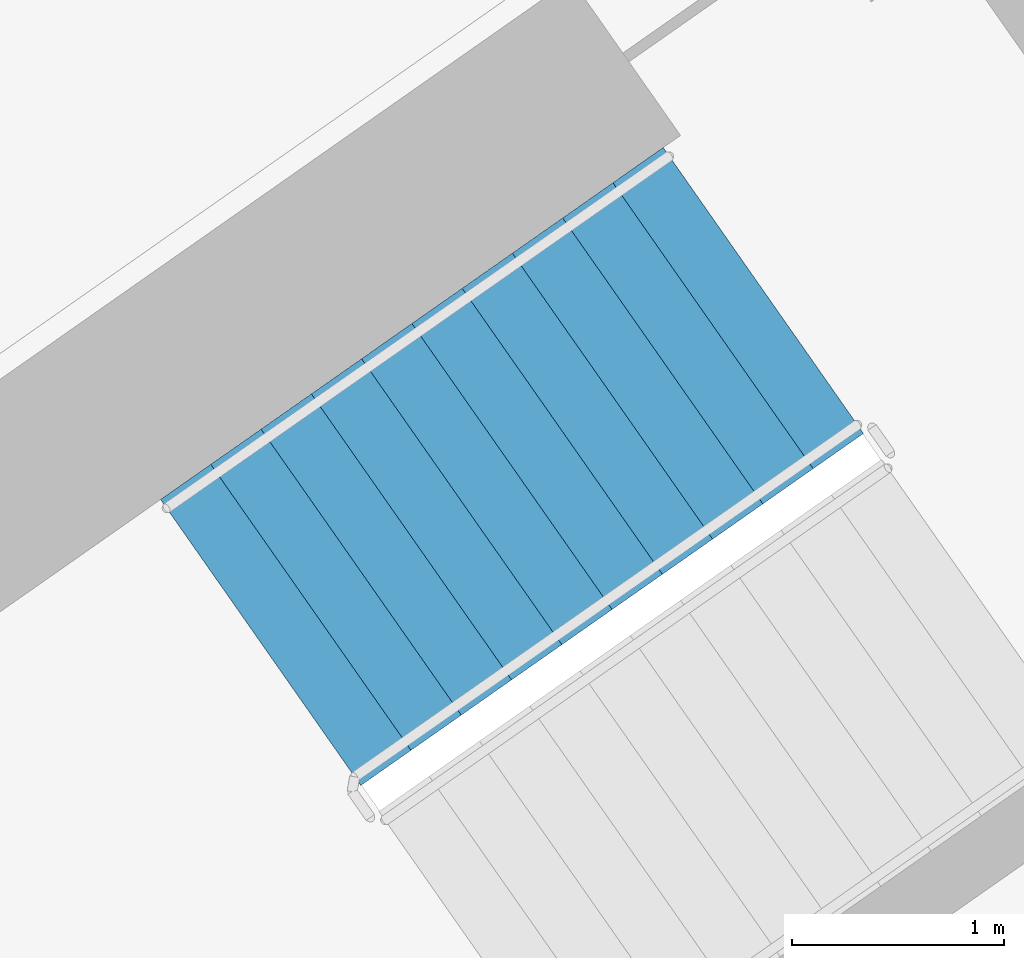
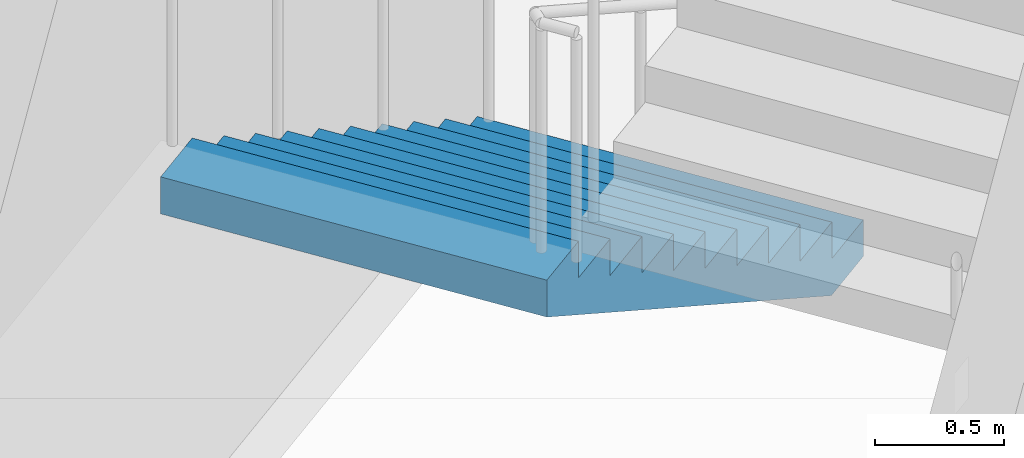
# One storey, part 16 of 35: 1 stair flight, 1 element without a shape of its own.
"""IFC4 building model written with IfcOpenShell, lengths in metres."""

from ifc_helpers import new_model, si_unit, direction, frame, origin, place, context, subcontext, project, spatial, faceted_brep, material, type_object, element, aggregate, save


model = new_model("IFC4")

# Units and contexts
model_context = context("Model", 3, precision=1e-05, world=origin(), true_north=direction((0.0, 1.0)))
body_context = subcontext(model_context, "Body", "Model", "MODEL_VIEW")
ifc_project = project(units=[si_unit("LENGTHUNIT", "METRE"), si_unit("AREAUNIT", "SQUARE_METRE"), si_unit("VOLUMEUNIT", "CUBIC_METRE"), si_unit("PLANEANGLEUNIT", "RADIAN"), si_unit("MASSUNIT", "GRAM", prefix="KILO")], contexts=[model_context])

# Site, building, storey
site_placement = place(None, origin())
site = spatial("IfcSite", under=ifc_project, at=site_placement, CompositionType="ELEMENT")
building_placement = place(site_placement, origin())
building = spatial("IfcBuilding", under=site, at=building_placement, Name="Qamariyya Broadcast Tower", CompositionType="ELEMENT")
storey_placement = place(building_placement, frame((0.0, 0.0, 40.5)))
storey = spatial("IfcBuildingStorey", under=building, at=storey_placement, Name="L06", CompositionType="ELEMENT", Elevation=40.5)

# Stair, stair flight
ifc_material = material(Name="Concrete C50/60", Category="concrete")
stair_type = type_object("IfcStairType", Name="Exit stair 22 risers of 173 mm", PredefinedType="HALF_TURN_STAIR", material=ifc_material)
stair_placement = place(storey_placement, origin())
stair = element("IfcStair", 1, at=stair_placement, inside=storey, type_object=stair_type, Name="L06 Stair E2", PredefinedType="HALF_TURN_STAIR")
stair_flight_type = type_object("IfcStairFlightType", Name="Exit stair flight 11 risers of 173 mm", PredefinedType="STRAIGHT", material=ifc_material)
stair_flight_placement = place(storey_placement, frame((40.558837890625, -47.685302734375, 0.0), z_axis=(0.0, 0.0, 1.0), x_axis=(-0.819152044289, -0.573576436351, 0.0)))
stair_flight = element("IfcStairFlight", 2, at=stair_flight_placement, type_object=stair_flight_type, Name="ST-E2 flight 1", NumberOfRisers=11, NumberOfTreads=10, PredefinedType="STRAIGHT", RiserHeight=0.172727273, TreadLength=0.29, context=body_context, shape_type="Brep", body=[
    faceted_brep([(0.0, 0.824951171875, 0.0), (0.0, 0.824951171875, 0.172607421875), (0.2900390625, 0.824951171875, 0.172607421875), (0.2900390625, 0.824951171875, 0.345458984375), (0.580078125, 0.824951171875, 0.345458984375), (0.580078125, 0.824951171875, 0.51806640625), (0.8701171875, 0.824951171875, 0.51806640625), (0.8701171875, 0.824951171875, 0.69091796875), (1.159912109375, 0.824951171875, 0.69091796875), (1.159912109375, 0.824951171875, 0.863525390625), (1.449951171875, 0.824951171875, 0.863525390625), (1.449951171875, 0.824951171875, 1.036376953125), (1.739990234375, 0.824951171875, 1.036376953125), (1.739990234375, 0.824951171875, 1.208984375), (2.030029296875, 0.824951171875, 1.208984375), (2.030029296875, 0.824951171875, 1.3818359375), (2.320068359375, 0.824951171875, 1.3818359375), (2.320068359375, 0.824951171875, 1.554443359375), (2.610107421875, 0.824951171875, 1.554443359375), (2.610107421875, 0.824951171875, 1.727294921875), (2.89990234375, 0.824951171875, 1.727294921875), (2.89990234375, 0.824951171875, 1.552734375), (0.29296875, 0.824951171875, 0.0), (0.29296875, -0.824951171875, 0.0), (2.89990234375, -0.824951171875, 1.552734375), (2.89990234375, -0.824951171875, 1.727294921875), (2.610107421875, -0.824951171875, 1.727294921875), (2.610107421875, -0.824951171875, 1.554443359375), (2.320068359375, -0.824951171875, 1.554443359375), (2.320068359375, -0.824951171875, 1.3818359375), (2.030029296875, -0.824951171875, 1.3818359375), (2.030029296875, -0.824951171875, 1.208984375), (1.739990234375, -0.824951171875, 1.208984375), (1.739990234375, -0.824951171875, 1.036376953125), (1.449951171875, -0.824951171875, 1.036376953125), (1.449951171875, -0.824951171875, 0.863525390625), (1.159912109375, -0.824951171875, 0.863525390625), (1.159912109375, -0.824951171875, 0.69091796875), (0.8701171875, -0.824951171875, 0.69091796875), (0.8701171875, -0.824951171875, 0.51806640625), (0.580078125, -0.824951171875, 0.51806640625), (0.580078125, -0.824951171875, 0.345458984375), (0.2900390625, -0.824951171875, 0.345458984375), (0.2900390625, -0.824951171875, 0.172607421875), (0.0, -0.824951171875, 0.172607421875), (0.0, -0.824951171875, 0.0), (0.0, 0.10009765625, 0.0), (0.0, 0.086669921875, 0.0), (0.0, 0.0732421875, 0.0), (0.0, 0.06005859375, 0.0), (0.0, 0.046630859375, 0.0), (0.0, 0.033447265625, 0.0), (0.0, 0.02001953125, 0.0), (0.0, 0.006591796875, 0.0), (0.0, -0.006591796875, 0.0), (0.0, -0.02001953125, 0.0), (0.0, -0.033447265625, 0.0), (0.0, -0.046630859375, 0.0), (0.0, -0.06005859375, 0.0), (0.0, -0.0732421875, 0.0), (0.0, -0.086669921875, 0.0), (0.0, -0.10009765625, 0.0), (0.0, -0.10009765625, 0.172607421875), (0.0, -0.086669921875, 0.172607421875), (0.0, -0.0732421875, 0.172607421875), (0.0, -0.06005859375, 0.172607421875), (0.0, -0.046630859375, 0.172607421875), (0.0, -0.033447265625, 0.172607421875), (0.0, -0.02001953125, 0.172607421875), (0.0, -0.006591796875, 0.172607421875), (0.0, 0.006591796875, 0.172607421875), (0.0, 0.02001953125, 0.172607421875), (0.0, 0.033447265625, 0.172607421875), (0.0, 0.046630859375, 0.172607421875), (0.0, 0.06005859375, 0.172607421875), (0.0, 0.0732421875, 0.172607421875), (0.0, 0.086669921875, 0.172607421875), (0.0, 0.10009765625, 0.172607421875), (0.2900390625, -0.10009765625, 0.172607421875), (0.2900390625, -0.086669921875, 0.172607421875), (0.2900390625, -0.0732421875, 0.172607421875), (0.2900390625, -0.06005859375, 0.172607421875), (0.2900390625, -0.046630859375, 0.172607421875), (0.2900390625, -0.033447265625, 0.172607421875), (0.2900390625, -0.02001953125, 0.172607421875), (0.2900390625, -0.006591796875, 0.172607421875), (0.2900390625, 0.006591796875, 0.172607421875), (0.2900390625, 0.02001953125, 0.172607421875), (0.2900390625, 0.033447265625, 0.172607421875), (0.2900390625, 0.046630859375, 0.172607421875), (0.2900390625, 0.06005859375, 0.172607421875), (0.2900390625, 0.0732421875, 0.172607421875), (0.2900390625, 0.086669921875, 0.172607421875), (0.2900390625, 0.10009765625, 0.172607421875), (0.2900390625, -0.10009765625, 0.345458984375), (0.2900390625, -0.086669921875, 0.345458984375), (0.2900390625, -0.0732421875, 0.345458984375), (0.2900390625, -0.06005859375, 0.345458984375), (0.2900390625, -0.046630859375, 0.345458984375), (0.2900390625, -0.033447265625, 0.345458984375), (0.2900390625, -0.02001953125, 0.345458984375), (0.2900390625, -0.006591796875, 0.345458984375), (0.2900390625, 0.006591796875, 0.345458984375), (0.2900390625, 0.02001953125, 0.345458984375), (0.2900390625, 0.033447265625, 0.345458984375), (0.2900390625, 0.046630859375, 0.345458984375), (0.2900390625, 0.06005859375, 0.345458984375), (0.2900390625, 0.0732421875, 0.345458984375), (0.2900390625, 0.086669921875, 0.345458984375), (0.2900390625, 0.10009765625, 0.345458984375), (0.580078125, -0.10009765625, 0.345458984375), (0.580078125, -0.086669921875, 0.345458984375), (0.580078125, -0.0732421875, 0.345458984375), (0.580078125, -0.06005859375, 0.345458984375), (0.580078125, -0.046630859375, 0.345458984375), (0.580078125, -0.033447265625, 0.345458984375), (0.580078125, -0.02001953125, 0.345458984375), (0.580078125, -0.006591796875, 0.345458984375), (0.580078125, 0.006591796875, 0.345458984375), (0.580078125, 0.02001953125, 0.345458984375), (0.580078125, 0.033447265625, 0.345458984375), (0.580078125, 0.046630859375, 0.345458984375), (0.580078125, 0.06005859375, 0.345458984375), (0.580078125, 0.0732421875, 0.345458984375), (0.580078125, 0.086669921875, 0.345458984375), (0.580078125, 0.10009765625, 0.345458984375), (0.580078125, -0.10009765625, 0.51806640625), (0.580078125, -0.086669921875, 0.51806640625), (0.580078125, -0.0732421875, 0.51806640625), (0.580078125, -0.06005859375, 0.51806640625), (0.580078125, -0.046630859375, 0.51806640625), (0.580078125, -0.033447265625, 0.51806640625), (0.580078125, -0.02001953125, 0.51806640625), (0.580078125, -0.006591796875, 0.51806640625), (0.580078125, 0.006591796875, 0.51806640625), (0.580078125, 0.02001953125, 0.51806640625), (0.580078125, 0.033447265625, 0.51806640625), (0.580078125, 0.046630859375, 0.51806640625), (0.580078125, 0.06005859375, 0.51806640625), (0.580078125, 0.0732421875, 0.51806640625), (0.580078125, 0.086669921875, 0.51806640625), (0.580078125, 0.10009765625, 0.51806640625), (0.8701171875, -0.10009765625, 0.51806640625), (0.8701171875, -0.086669921875, 0.51806640625), (0.8701171875, -0.0732421875, 0.51806640625), (0.8701171875, -0.06005859375, 0.51806640625), (0.8701171875, -0.046630859375, 0.51806640625), (0.8701171875, -0.033447265625, 0.51806640625), (0.8701171875, -0.02001953125, 0.51806640625), (0.8701171875, -0.006591796875, 0.51806640625), (0.8701171875, 0.006591796875, 0.51806640625), (0.8701171875, 0.02001953125, 0.51806640625), (0.8701171875, 0.033447265625, 0.51806640625), (0.8701171875, 0.046630859375, 0.51806640625), (0.8701171875, 0.06005859375, 0.51806640625), (0.8701171875, 0.0732421875, 0.51806640625), (0.8701171875, 0.086669921875, 0.51806640625), (0.8701171875, 0.10009765625, 0.51806640625), (0.8701171875, -0.10009765625, 0.69091796875), (0.8701171875, -0.086669921875, 0.69091796875), (0.8701171875, -0.0732421875, 0.69091796875), (0.8701171875, -0.06005859375, 0.69091796875), (0.8701171875, -0.046630859375, 0.69091796875), (0.8701171875, -0.033447265625, 0.69091796875), (0.8701171875, -0.02001953125, 0.69091796875), (0.8701171875, -0.006591796875, 0.69091796875), (0.8701171875, 0.006591796875, 0.69091796875), (0.8701171875, 0.02001953125, 0.69091796875), (0.8701171875, 0.033447265625, 0.69091796875), (0.8701171875, 0.046630859375, 0.69091796875), (0.8701171875, 0.06005859375, 0.69091796875), (0.8701171875, 0.0732421875, 0.69091796875), (0.8701171875, 0.086669921875, 0.69091796875), (0.8701171875, 0.10009765625, 0.69091796875), (1.159912109375, -0.10009765625, 0.69091796875), (1.159912109375, -0.086669921875, 0.69091796875), (1.159912109375, -0.0732421875, 0.69091796875), (1.159912109375, -0.06005859375, 0.69091796875), (1.159912109375, -0.046630859375, 0.69091796875), (1.159912109375, -0.033447265625, 0.69091796875), (1.159912109375, -0.02001953125, 0.69091796875), (1.159912109375, -0.006591796875, 0.69091796875), (1.159912109375, 0.006591796875, 0.69091796875), (1.159912109375, 0.02001953125, 0.69091796875), (1.159912109375, 0.033447265625, 0.69091796875), (1.159912109375, 0.046630859375, 0.69091796875), (1.159912109375, 0.06005859375, 0.69091796875), (1.159912109375, 0.0732421875, 0.69091796875), (1.159912109375, 0.086669921875, 0.69091796875), (1.159912109375, 0.10009765625, 0.69091796875), (1.159912109375, -0.10009765625, 0.863525390625), (1.159912109375, -0.086669921875, 0.863525390625), (1.159912109375, -0.0732421875, 0.863525390625), (1.159912109375, -0.06005859375, 0.863525390625), (1.159912109375, -0.046630859375, 0.863525390625), (1.159912109375, -0.033447265625, 0.863525390625), (1.159912109375, -0.02001953125, 0.863525390625), (1.159912109375, -0.006591796875, 0.863525390625), (1.159912109375, 0.006591796875, 0.863525390625), (1.159912109375, 0.02001953125, 0.863525390625), (1.159912109375, 0.033447265625, 0.863525390625), (1.159912109375, 0.046630859375, 0.863525390625), (1.159912109375, 0.06005859375, 0.863525390625), (1.159912109375, 0.0732421875, 0.863525390625), (1.159912109375, 0.086669921875, 0.863525390625), (1.159912109375, 0.10009765625, 0.863525390625), (1.449951171875, -0.10009765625, 0.863525390625), (1.449951171875, -0.086669921875, 0.863525390625), (1.449951171875, -0.0732421875, 0.863525390625), (1.449951171875, -0.06005859375, 0.863525390625), (1.449951171875, -0.046630859375, 0.863525390625), (1.449951171875, -0.033447265625, 0.863525390625), (1.449951171875, -0.02001953125, 0.863525390625), (1.449951171875, -0.006591796875, 0.863525390625), (1.449951171875, 0.006591796875, 0.863525390625), (1.449951171875, 0.02001953125, 0.863525390625), (1.449951171875, 0.033447265625, 0.863525390625), (1.449951171875, 0.046630859375, 0.863525390625), (1.449951171875, 0.06005859375, 0.863525390625), (1.449951171875, 0.0732421875, 0.863525390625), (1.449951171875, 0.086669921875, 0.863525390625), (1.449951171875, 0.10009765625, 0.863525390625), (1.449951171875, -0.10009765625, 1.036376953125), (1.449951171875, -0.086669921875, 1.036376953125), (1.449951171875, -0.0732421875, 1.036376953125), (1.449951171875, -0.06005859375, 1.036376953125), (1.449951171875, -0.046630859375, 1.036376953125), (1.449951171875, -0.033447265625, 1.036376953125), (1.449951171875, -0.02001953125, 1.036376953125), (1.449951171875, -0.006591796875, 1.036376953125), (1.449951171875, 0.006591796875, 1.036376953125), (1.449951171875, 0.02001953125, 1.036376953125), (1.449951171875, 0.033447265625, 1.036376953125), (1.449951171875, 0.046630859375, 1.036376953125), (1.449951171875, 0.06005859375, 1.036376953125), (1.449951171875, 0.0732421875, 1.036376953125), (1.449951171875, 0.086669921875, 1.036376953125), (1.449951171875, 0.10009765625, 1.036376953125), (1.739990234375, -0.10009765625, 1.036376953125), (1.739990234375, -0.086669921875, 1.036376953125), (1.739990234375, -0.0732421875, 1.036376953125), (1.739990234375, -0.06005859375, 1.036376953125), (1.739990234375, -0.046630859375, 1.036376953125), (1.739990234375, -0.033447265625, 1.036376953125), (1.739990234375, -0.02001953125, 1.036376953125), (1.739990234375, -0.006591796875, 1.036376953125), (1.739990234375, 0.006591796875, 1.036376953125), (1.739990234375, 0.02001953125, 1.036376953125), (1.739990234375, 0.033447265625, 1.036376953125), (1.739990234375, 0.046630859375, 1.036376953125), (1.739990234375, 0.06005859375, 1.036376953125), (1.739990234375, 0.0732421875, 1.036376953125), (1.739990234375, 0.086669921875, 1.036376953125), (1.739990234375, 0.10009765625, 1.036376953125), (1.739990234375, -0.10009765625, 1.208984375), (1.739990234375, -0.086669921875, 1.208984375), (1.739990234375, -0.0732421875, 1.208984375), (1.739990234375, -0.06005859375, 1.208984375), (1.739990234375, -0.046630859375, 1.208984375), (1.739990234375, -0.033447265625, 1.208984375), (1.739990234375, -0.02001953125, 1.208984375), (1.739990234375, -0.006591796875, 1.208984375), (1.739990234375, 0.006591796875, 1.208984375), (1.739990234375, 0.02001953125, 1.208984375), (1.739990234375, 0.033447265625, 1.208984375), (1.739990234375, 0.046630859375, 1.208984375), (1.739990234375, 0.06005859375, 1.208984375), (1.739990234375, 0.0732421875, 1.208984375), (1.739990234375, 0.086669921875, 1.208984375), (1.739990234375, 0.10009765625, 1.208984375), (2.030029296875, -0.10009765625, 1.208984375), (2.030029296875, -0.086669921875, 1.208984375), (2.030029296875, -0.0732421875, 1.208984375), (2.030029296875, -0.06005859375, 1.208984375), (2.030029296875, -0.046630859375, 1.208984375), (2.030029296875, -0.033447265625, 1.208984375), (2.030029296875, -0.02001953125, 1.208984375), (2.030029296875, -0.006591796875, 1.208984375), (2.030029296875, 0.006591796875, 1.208984375), (2.030029296875, 0.02001953125, 1.208984375), (2.030029296875, 0.033447265625, 1.208984375), (2.030029296875, 0.046630859375, 1.208984375), (2.030029296875, 0.06005859375, 1.208984375), (2.030029296875, 0.0732421875, 1.208984375), (2.030029296875, 0.086669921875, 1.208984375), (2.030029296875, 0.10009765625, 1.208984375), (2.030029296875, -0.10009765625, 1.3818359375), (2.030029296875, -0.086669921875, 1.3818359375), (2.030029296875, -0.0732421875, 1.3818359375), (2.030029296875, -0.06005859375, 1.3818359375), (2.030029296875, -0.046630859375, 1.3818359375), (2.030029296875, -0.033447265625, 1.3818359375), (2.030029296875, -0.02001953125, 1.3818359375), (2.030029296875, -0.006591796875, 1.3818359375), (2.030029296875, 0.006591796875, 1.3818359375), (2.030029296875, 0.02001953125, 1.3818359375), (2.030029296875, 0.033447265625, 1.3818359375), (2.030029296875, 0.046630859375, 1.3818359375), (2.030029296875, 0.06005859375, 1.3818359375), (2.030029296875, 0.0732421875, 1.3818359375), (2.030029296875, 0.086669921875, 1.3818359375), (2.030029296875, 0.10009765625, 1.3818359375), (2.320068359375, -0.10009765625, 1.3818359375), (2.320068359375, -0.086669921875, 1.3818359375), (2.320068359375, -0.0732421875, 1.3818359375), (2.320068359375, -0.06005859375, 1.3818359375), (2.320068359375, -0.046630859375, 1.3818359375), (2.320068359375, -0.033447265625, 1.3818359375), (2.320068359375, -0.02001953125, 1.3818359375), (2.320068359375, -0.006591796875, 1.3818359375), (2.320068359375, 0.006591796875, 1.3818359375), (2.320068359375, 0.02001953125, 1.3818359375), (2.320068359375, 0.033447265625, 1.3818359375), (2.320068359375, 0.046630859375, 1.3818359375), (2.320068359375, 0.06005859375, 1.3818359375), (2.320068359375, 0.0732421875, 1.3818359375), (2.320068359375, 0.086669921875, 1.3818359375), (2.320068359375, 0.10009765625, 1.3818359375), (2.320068359375, -0.10009765625, 1.554443359375), (2.320068359375, -0.086669921875, 1.554443359375), (2.320068359375, -0.0732421875, 1.554443359375), (2.320068359375, -0.06005859375, 1.554443359375), (2.320068359375, -0.046630859375, 1.554443359375), (2.320068359375, -0.033447265625, 1.554443359375), (2.320068359375, -0.02001953125, 1.554443359375), (2.320068359375, -0.006591796875, 1.554443359375), (2.320068359375, 0.006591796875, 1.554443359375), (2.320068359375, 0.02001953125, 1.554443359375), (2.320068359375, 0.033447265625, 1.554443359375), (2.320068359375, 0.046630859375, 1.554443359375), (2.320068359375, 0.06005859375, 1.554443359375), (2.320068359375, 0.0732421875, 1.554443359375), (2.320068359375, 0.086669921875, 1.554443359375), (2.320068359375, 0.10009765625, 1.554443359375), (2.610107421875, -0.10009765625, 1.554443359375), (2.610107421875, -0.086669921875, 1.554443359375), (2.610107421875, -0.0732421875, 1.554443359375), (2.610107421875, -0.06005859375, 1.554443359375), (2.610107421875, -0.046630859375, 1.554443359375), (2.610107421875, -0.033447265625, 1.554443359375), (2.610107421875, -0.02001953125, 1.554443359375), (2.610107421875, -0.006591796875, 1.554443359375), (2.610107421875, 0.006591796875, 1.554443359375), (2.610107421875, 0.02001953125, 1.554443359375), (2.610107421875, 0.033447265625, 1.554443359375), (2.610107421875, 0.046630859375, 1.554443359375), (2.610107421875, 0.06005859375, 1.554443359375), (2.610107421875, 0.0732421875, 1.554443359375), (2.610107421875, 0.086669921875, 1.554443359375), (2.610107421875, 0.10009765625, 1.554443359375), (2.610107421875, -0.10009765625, 1.727294921875), (2.610107421875, -0.086669921875, 1.727294921875), (2.610107421875, -0.0732421875, 1.727294921875), (2.610107421875, -0.06005859375, 1.727294921875), (2.610107421875, -0.046630859375, 1.727294921875), (2.610107421875, -0.033447265625, 1.727294921875), (2.610107421875, -0.02001953125, 1.727294921875), (2.610107421875, -0.006591796875, 1.727294921875), (2.610107421875, 0.006591796875, 1.727294921875), (2.610107421875, 0.02001953125, 1.727294921875), (2.610107421875, 0.033447265625, 1.727294921875), (2.610107421875, 0.046630859375, 1.727294921875), (2.610107421875, 0.06005859375, 1.727294921875), (2.610107421875, 0.0732421875, 1.727294921875), (2.610107421875, 0.086669921875, 1.727294921875), (2.610107421875, 0.10009765625, 1.727294921875), (2.89990234375, -0.10009765625, 1.727294921875), (2.89990234375, -0.086669921875, 1.727294921875), (2.89990234375, -0.0732421875, 1.727294921875), (2.89990234375, -0.06005859375, 1.727294921875), (2.89990234375, -0.046630859375, 1.727294921875), (2.89990234375, -0.033447265625, 1.727294921875), (2.89990234375, -0.02001953125, 1.727294921875), (2.89990234375, -0.006591796875, 1.727294921875), (2.89990234375, 0.006591796875, 1.727294921875), (2.89990234375, 0.02001953125, 1.727294921875), (2.89990234375, 0.033447265625, 1.727294921875), (2.89990234375, 0.046630859375, 1.727294921875), (2.89990234375, 0.06005859375, 1.727294921875), (2.89990234375, 0.0732421875, 1.727294921875), (2.89990234375, 0.086669921875, 1.727294921875), (2.89990234375, 0.10009765625, 1.727294921875), (2.89990234375, -0.10009765625, 1.552734375), (2.89990234375, -0.086669921875, 1.552734375), (2.89990234375, -0.0732421875, 1.552734375), (2.89990234375, -0.06005859375, 1.552734375), (2.89990234375, -0.046630859375, 1.552734375), (2.89990234375, -0.033447265625, 1.552734375), (2.89990234375, -0.02001953125, 1.552734375), (2.89990234375, -0.006591796875, 1.552734375), (2.89990234375, 0.006591796875, 1.552734375), (2.89990234375, 0.02001953125, 1.552734375), (2.89990234375, 0.033447265625, 1.552734375), (2.89990234375, 0.046630859375, 1.552734375), (2.89990234375, 0.06005859375, 1.552734375), (2.89990234375, 0.0732421875, 1.552734375), (2.89990234375, 0.086669921875, 1.552734375), (2.89990234375, 0.10009765625, 1.552734375), (0.29296875, -0.10009765625, 0.0), (0.29296875, -0.086669921875, 0.0), (0.29296875, -0.0732421875, 0.0), (0.29296875, -0.06005859375, 0.0), (0.29296875, -0.046630859375, 0.0), (0.29296875, -0.033447265625, 0.0), (0.29296875, -0.02001953125, 0.0), (0.29296875, -0.006591796875, 0.0), (0.29296875, 0.006591796875, 0.0), (0.29296875, 0.02001953125, 0.0), (0.29296875, 0.033447265625, 0.0), (0.29296875, 0.046630859375, 0.0), (0.29296875, 0.06005859375, 0.0), (0.29296875, 0.0732421875, 0.0), (0.29296875, 0.086669921875, 0.0), (0.29296875, 0.10009765625, 0.0)], [[[0, 1, 2, 3, 4, 5, 6, 7, 8, 9, 10, 11, 12, 13, 14, 15, 16, 17, 18, 19, 20, 21, 22]], [[23, 24, 25, 26, 27, 28, 29, 30, 31, 32, 33, 34, 35, 36, 37, 38, 39, 40, 41, 42, 43, 44, 45]], [[0, 46, 47, 48, 49, 50, 51, 52, 53, 54, 55, 56, 57, 58, 59, 60, 61, 45, 44, 62, 63, 64, 65, 66, 67, 68, 69, 70, 71, 72, 73, 74, 75, 76, 77, 1]], [[1, 77, 76, 75, 74, 73, 72, 71, 70, 69, 68, 67, 66, 65, 64, 63, 62, 44, 43, 78, 79, 80, 81, 82, 83, 84, 85, 86, 87, 88, 89, 90, 91, 92, 93, 2]], [[2, 93, 92, 91, 90, 89, 88, 87, 86, 85, 84, 83, 82, 81, 80, 79, 78, 43, 42, 94, 95, 96, 97, 98, 99, 100, 101, 102, 103, 104, 105, 106, 107, 108, 109, 3]], [[3, 109, 108, 107, 106, 105, 104, 103, 102, 101, 100, 99, 98, 97, 96, 95, 94, 42, 41, 110, 111, 112, 113, 114, 115, 116, 117, 118, 119, 120, 121, 122, 123, 124, 125, 4]], [[4, 125, 124, 123, 122, 121, 120, 119, 118, 117, 116, 115, 114, 113, 112, 111, 110, 41, 40, 126, 127, 128, 129, 130, 131, 132, 133, 134, 135, 136, 137, 138, 139, 140, 141, 5]], [[5, 141, 140, 139, 138, 137, 136, 135, 134, 133, 132, 131, 130, 129, 128, 127, 126, 40, 39, 142, 143, 144, 145, 146, 147, 148, 149, 150, 151, 152, 153, 154, 155, 156, 157, 6]], [[6, 157, 156, 155, 154, 153, 152, 151, 150, 149, 148, 147, 146, 145, 144, 143, 142, 39, 38, 158, 159, 160, 161, 162, 163, 164, 165, 166, 167, 168, 169, 170, 171, 172, 173, 7]], [[7, 173, 172, 171, 170, 169, 168, 167, 166, 165, 164, 163, 162, 161, 160, 159, 158, 38, 37, 174, 175, 176, 177, 178, 179, 180, 181, 182, 183, 184, 185, 186, 187, 188, 189, 8]], [[8, 189, 188, 187, 186, 185, 184, 183, 182, 181, 180, 179, 178, 177, 176, 175, 174, 37, 36, 190, 191, 192, 193, 194, 195, 196, 197, 198, 199, 200, 201, 202, 203, 204, 205, 9]], [[9, 205, 204, 203, 202, 201, 200, 199, 198, 197, 196, 195, 194, 193, 192, 191, 190, 36, 35, 206, 207, 208, 209, 210, 211, 212, 213, 214, 215, 216, 217, 218, 219, 220, 221, 10]], [[10, 221, 220, 219, 218, 217, 216, 215, 214, 213, 212, 211, 210, 209, 208, 207, 206, 35, 34, 222, 223, 224, 225, 226, 227, 228, 229, 230, 231, 232, 233, 234, 235, 236, 237, 11]], [[11, 237, 236, 235, 234, 233, 232, 231, 230, 229, 228, 227, 226, 225, 224, 223, 222, 34, 33, 238, 239, 240, 241, 242, 243, 244, 245, 246, 247, 248, 249, 250, 251, 252, 253, 12]], [[12, 253, 252, 251, 250, 249, 248, 247, 246, 245, 244, 243, 242, 241, 240, 239, 238, 33, 32, 254, 255, 256, 257, 258, 259, 260, 261, 262, 263, 264, 265, 266, 267, 268, 269, 13]], [[13, 269, 268, 267, 266, 265, 264, 263, 262, 261, 260, 259, 258, 257, 256, 255, 254, 32, 31, 270, 271, 272, 273, 274, 275, 276, 277, 278, 279, 280, 281, 282, 283, 284, 285, 14]], [[14, 285, 284, 283, 282, 281, 280, 279, 278, 277, 276, 275, 274, 273, 272, 271, 270, 31, 30, 286, 287, 288, 289, 290, 291, 292, 293, 294, 295, 296, 297, 298, 299, 300, 301, 15]], [[15, 301, 300, 299, 298, 297, 296, 295, 294, 293, 292, 291, 290, 289, 288, 287, 286, 30, 29, 302, 303, 304, 305, 306, 307, 308, 309, 310, 311, 312, 313, 314, 315, 316, 317, 16]], [[16, 317, 316, 315, 314, 313, 312, 311, 310, 309, 308, 307, 306, 305, 304, 303, 302, 29, 28, 318, 319, 320, 321, 322, 323, 324, 325, 326, 327, 328, 329, 330, 331, 332, 333, 17]], [[17, 333, 332, 331, 330, 329, 328, 327, 326, 325, 324, 323, 322, 321, 320, 319, 318, 28, 27, 334, 335, 336, 337, 338, 339, 340, 341, 342, 343, 344, 345, 346, 347, 348, 349, 18]], [[18, 349, 348, 347, 346, 345, 344, 343, 342, 341, 340, 339, 338, 337, 336, 335, 334, 27, 26, 350, 351, 352, 353, 354, 355, 356, 357, 358, 359, 360, 361, 362, 363, 364, 365, 19]], [[19, 365, 364, 363, 362, 361, 360, 359, 358, 357, 356, 355, 354, 353, 352, 351, 350, 26, 25, 366, 367, 368, 369, 370, 371, 372, 373, 374, 375, 376, 377, 378, 379, 380, 381, 20]], [[20, 381, 380, 379, 378, 377, 376, 375, 374, 373, 372, 371, 370, 369, 368, 367, 366, 25, 24, 382, 383, 384, 385, 386, 387, 388, 389, 390, 391, 392, 393, 394, 395, 396, 397, 21]], [[21, 397, 396, 395, 394, 393, 392, 391, 390, 389, 388, 387, 386, 385, 384, 383, 382, 24, 23, 398, 399, 400, 401, 402, 403, 404, 405, 406, 407, 408, 409, 410, 411, 412, 413, 22]], [[22, 413, 412, 411, 410, 409, 408, 407, 406, 405, 404, 403, 402, 401, 400, 399, 398, 23, 45, 61, 60, 59, 58, 57, 56, 55, 54, 53, 52, 51, 50, 49, 48, 47, 46, 0]]]),
])
aggregate(stair, [stair_flight])

save(model, "model.ifc")
